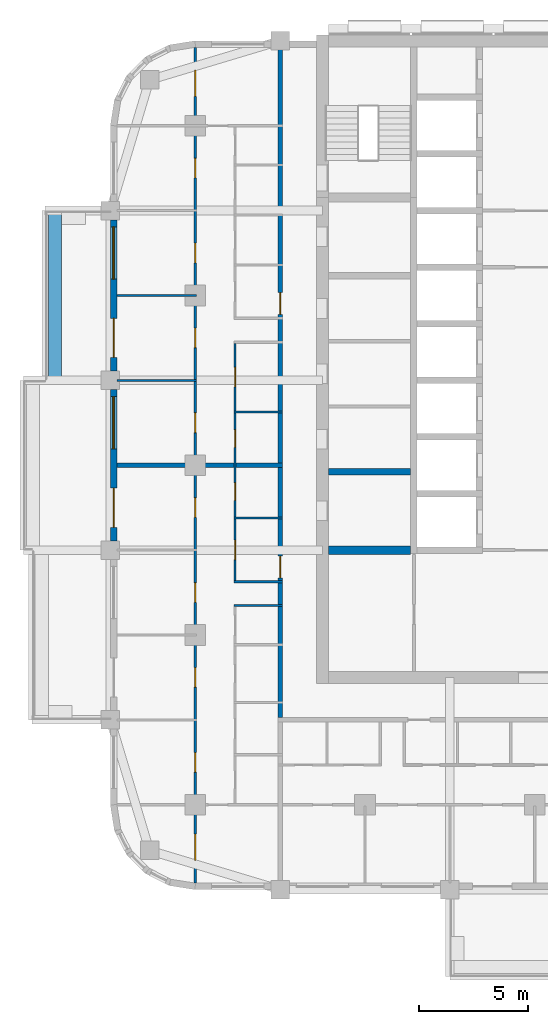
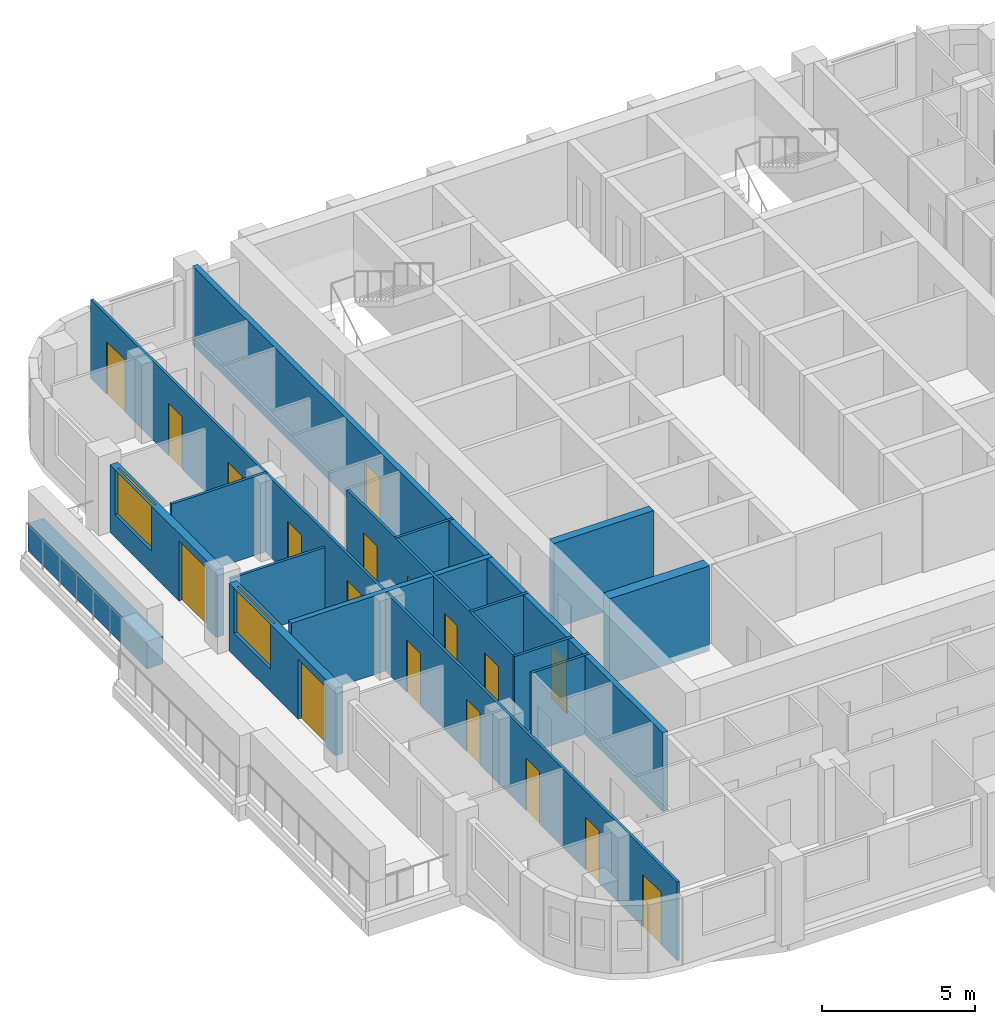
# One storey, part 4 of 14: 18 doors, 15 walls, 2 windows, 20 openings.
"""IFC4 building model written with IfcOpenShell, lengths in metres."""

from ifc_helpers import new_model, si_unit, direction, frame, frame_2d, origin, place, context, subcontext, project, spatial, rectangle, extrude, material, layer, layer_set, type_object, element, fill, save


model = new_model("IFC4")

# Units and contexts
model_context = context("Model", 3, precision=1e-05, world=origin(), true_north=direction((0.0, 1.0)))
body_context = subcontext(model_context, "Body", "Model", "MODEL_VIEW")
ifc_project = project(units=[si_unit("LENGTHUNIT", "METRE"), si_unit("AREAUNIT", "SQUARE_METRE"), si_unit("VOLUMEUNIT", "CUBIC_METRE"), si_unit("PLANEANGLEUNIT", "RADIAN"), si_unit("MASSUNIT", "GRAM", prefix="KILO")], contexts=[model_context])

# Site, building, storey
site_placement = place(None, origin())
site = spatial("IfcSite", under=ifc_project, at=site_placement, CompositionType="ELEMENT")
building_placement = place(site_placement, origin())
building = spatial("IfcBuilding", under=site, at=building_placement, Name="Ludao Terraces", CompositionType="ELEMENT")
storey_placement = place(building_placement, frame((0.0, 0.0, 103.300048828125)))
storey = spatial("IfcBuildingStorey", under=building, at=storey_placement, Name="L28", CompositionType="ELEMENT", Elevation=103.300048828125)

# Wall
ifc_material_1 = material(Name="Concrete C40", Category="concrete")
ifc_layer_1 = layer(ifc_material_1, 0.60009765625)
ifc_layer_set_1 = layer_set([ifc_layer_1], Name="ENV Planter trough 600")
wall_type_1 = type_object("IfcWallType", Name="ENV Planter trough 600", PredefinedType="USERDEFINED", material=ifc_layer_set_1)
wall_1_placement = place(storey_placement, frame((62.949951171875, 68.89990234375, 0.0), z_axis=(0.0, 0.0, 1.0), x_axis=(0.0, 1.0, 0.0)))
element("IfcWall", 1, at=wall_1_placement, inside=storey, type_object=wall_type_1, Name="PL-L28-W3", ObjectType="PLANTER", PredefinedType="USERDEFINED", context=body_context, shape_type="SweptSolid", body=[
    extrude(rectangle(XDim=7.800048828125, YDim=0.60009765625, at=frame_2d((3.89990234375, 0.0))), origin(), (0.0, 0.0, 1.0), 1.099853515625),
])

# Wall, openings, door, window
ifc_material_2 = material(Name="Granite cladding", Category="masonry")
ifc_layer_2 = layer(ifc_material_2, 0.0400390625, Category="stone")
ifc_material_3 = material(Name="Mineral wool")
ifc_layer_3 = layer(ifc_material_3, 0.06005859375)
ifc_layer_4 = layer(ifc_material_1, 0.199951171875, Category="concrete")
ifc_layer_set_2 = layer_set([ifc_layer_2, ifc_layer_3, ifc_layer_4], Name="ENV Stone-clad wall 300")
wall_type_2 = type_object("IfcWallType", Name="ENV Stone-clad wall 300", PredefinedType="SOLIDWALL", material=ifc_layer_set_2)
wall_2_placement = place(storey_placement, frame((65.64990234375, 61.52490234375, 0.0), z_axis=(0.0, 0.0, 1.0), x_axis=(0.0, 1.0, 0.0)))
wall_2 = element("IfcWall", 2, at=wall_2_placement, inside=storey, type_object=wall_type_2, Name="EW-L28-W3", PredefinedType="SOLIDWALL", context=body_context, shape_type="SweptSolid", body=[
    extrude(rectangle(XDim=6.9501953125, YDim=0.300048828125, at=frame_2d((3.47509765625, 0.0))), origin(), (0.0, 0.0, 1.0), 2.699951171875),
])
opening_1_placement = place(wall_2_placement, frame((0.625, 0.0, 0.0)))
opening_1 = element("IfcOpeningElement", 3, at=opening_1_placement, cuts=wall_2, Name="Opening BD", PredefinedType="OPENING", context=body_context, shape_type="SweptSolid", body=[
    extrude(rectangle(XDim=1.800048828125, YDim=2.39990234375, at=frame_2d((0.89990234375, 1.199951171875))), frame((0.0, 0.16015625, 0.0), z_axis=(0.0, -1.0, 0.0), x_axis=(1.0, 0.0, 0.0)), (0.0, 0.0, 1.0), 0.320068359375),
])
opening_2_placement = place(wall_2_placement, frame((4.22509765625, 0.0, 0.89990234375)))
opening_2 = element("IfcOpeningElement", 4, at=opening_2_placement, cuts=wall_2, Name="Opening W1", PredefinedType="OPENING", context=body_context, shape_type="SweptSolid", body=[
    extrude(rectangle(XDim=2.39990234375, YDim=1.800048828125, at=frame_2d((1.199951171875, 0.89990234375))), frame((0.0, 0.16015625, 0.0), z_axis=(0.0, -1.0, 0.0), x_axis=(1.0, 0.0, 0.0)), (0.0, 0.0, 1.0), 0.320068359375),
])
ifc_material_4 = material(Name="Aluminium glazed door", Category="aluminium")
ifc_layer_5 = layer(ifc_material_4, 0.06005859375)
ifc_layer_set_3 = layer_set([ifc_layer_5], Name="ENV Balcony door BD 1800x2400")
door_type_1 = type_object("IfcDoorType", Name="ENV Balcony door BD 1800x2400", OperationType="DOUBLE_DOOR_SINGLE_SWING", PredefinedType="DOOR", material=ifc_layer_set_3)
door_1_placement = place(opening_1_placement, origin())
door_1 = element("IfcDoor", 5, at=door_1_placement, inside=storey, type_object=door_type_1, Name="BD-L28-W3-1", OperationType="DOUBLE_DOOR_SINGLE_SWING", OverallHeight=2.39990234375, OverallWidth=1.800048828125, PredefinedType="DOOR", context=body_context, shape_type="SweptSolid", body=[
    extrude(rectangle(XDim=1.800048828125, YDim=2.39990234375, at=frame_2d((0.89990234375, 1.199951171875))), frame((0.0, 0.02490234375, 0.0), z_axis=(0.0, -1.0, 0.0), x_axis=(1.0, 0.0, 0.0)), (0.0, 0.0, 1.0), 0.050048828125),
])
fill(opening_1, door_1)
ifc_material_5 = material(Name="Clear glass in aluminium frame", Category="aluminium")
ifc_layer_6 = layer(ifc_material_5, 0.06005859375)
ifc_layer_set_4 = layer_set([ifc_layer_6], Name="ENV Window W1 2400x1800")
window_type = type_object("IfcWindowType", Name="ENV Window W1 2400x1800", PartitioningType="DOUBLE_PANEL_VERTICAL", PredefinedType="WINDOW", material=ifc_layer_set_4)
window_1_placement = place(opening_2_placement, origin())
window_1 = element("IfcWindow", 6, at=window_1_placement, inside=storey, type_object=window_type, Name="W-L28-W3-2", OverallHeight=1.800048828125, OverallWidth=2.39990234375, PartitioningType="DOUBLE_PANEL_VERTICAL", PredefinedType="WINDOW", context=body_context, shape_type="SweptSolid", body=[
    extrude(rectangle(XDim=2.39990234375, YDim=1.800048828125, at=frame_2d((1.199951171875, 0.89990234375))), frame((0.0, 0.030029296875, 0.0), z_axis=(0.0, -1.0, 0.0), x_axis=(1.0, 0.0, 0.0)), (0.0, 0.0, 1.0), 0.06005859375),
])
fill(opening_2, window_1)

wall_3_placement = place(storey_placement, frame((65.64990234375, 69.324951171875, 0.0), z_axis=(0.0, 0.0, 1.0), x_axis=(0.0, 1.0, 0.0)))
wall_3 = element("IfcWall", 7, at=wall_3_placement, inside=storey, type_object=wall_type_2, Name="EW-L28-W4", PredefinedType="SOLIDWALL", context=body_context, shape_type="SweptSolid", body=[
    extrude(rectangle(XDim=6.949951171875, YDim=0.300048828125, at=frame_2d((3.47509765625, 0.0))), origin(), (0.0, 0.0, 1.0), 2.699951171875),
])
opening_3_placement = place(wall_3_placement, frame((0.625, 0.0, 0.0)))
opening_3 = element("IfcOpeningElement", 8, at=opening_3_placement, cuts=wall_3, Name="Opening BD", PredefinedType="OPENING", context=body_context, shape_type="SweptSolid", body=[
    extrude(rectangle(XDim=1.800048828125, YDim=2.39990234375, at=frame_2d((0.89990234375, 1.199951171875))), frame((0.0, 0.16015625, 0.0), z_axis=(0.0, -1.0, 0.0), x_axis=(1.0, 0.0, 0.0)), (0.0, 0.0, 1.0), 0.320068359375),
])
opening_4_placement = place(wall_3_placement, frame((4.22509765625, 0.0, 0.89990234375)))
opening_4 = element("IfcOpeningElement", 9, at=opening_4_placement, cuts=wall_3, Name="Opening W1", PredefinedType="OPENING", context=body_context, shape_type="SweptSolid", body=[
    extrude(rectangle(XDim=2.39990234375, YDim=1.800048828125, at=frame_2d((1.199951171875, 0.89990234375))), frame((0.0, 0.16015625, 0.0), z_axis=(0.0, -1.0, 0.0), x_axis=(1.0, 0.0, 0.0)), (0.0, 0.0, 1.0), 0.320068359375),
])
door_2_placement = place(opening_3_placement, origin())
door_2 = element("IfcDoor", 10, at=door_2_placement, inside=storey, type_object=door_type_1, Name="BD-L28-W4-1", OperationType="DOUBLE_DOOR_SINGLE_SWING", OverallHeight=2.39990234375, OverallWidth=1.800048828125, PredefinedType="DOOR", context=body_context, shape_type="SweptSolid", body=[
    extrude(rectangle(XDim=1.800048828125, YDim=2.39990234375, at=frame_2d((0.89990234375, 1.199951171875))), frame((0.0, 0.02490234375, 0.0), z_axis=(0.0, -1.0, 0.0), x_axis=(1.0, 0.0, 0.0)), (0.0, 0.0, 1.0), 0.050048828125),
])
fill(opening_3, door_2)
window_2_placement = place(opening_4_placement, origin())
window_2 = element("IfcWindow", 11, at=window_2_placement, inside=storey, type_object=window_type, Name="W-L28-W4-2", OverallHeight=1.800048828125, OverallWidth=2.39990234375, PartitioningType="DOUBLE_PANEL_VERTICAL", PredefinedType="WINDOW", context=body_context, shape_type="SweptSolid", body=[
    extrude(rectangle(XDim=2.39990234375, YDim=1.800048828125, at=frame_2d((1.199951171875, 0.89990234375))), frame((0.0, 0.030029296875, 0.0), z_axis=(0.0, -1.0, 0.0), x_axis=(1.0, 0.0, 0.0)), (0.0, 0.0, 1.0), 0.06005859375),
])
fill(opening_4, window_2)

# Wall, openings, doors
ifc_material_6 = material(Name="Autoclaved aerated concrete block B06 A3.5", Category="concrete")
ifc_layer_7 = layer(ifc_material_6, 0.199951171875)
ifc_layer_set_5 = layer_set([ifc_layer_7], Name="INT Entrance wall 200")
wall_type_3 = type_object("IfcWallType", Name="INT Entrance wall 200", PredefinedType="PARTITIONING", material=ifc_layer_set_5)
wall_4_placement = place(storey_placement, frame((73.300048828125, 53.400146484375, 0.0), z_axis=(0.0, 0.0, 1.0), x_axis=(0.0, 1.0, 0.0)))
wall_4 = element("IfcWall", 12, at=wall_4_placement, inside=storey, type_object=wall_type_3, Name="PW-L28-PW055", PredefinedType="PARTITIONING", context=body_context, shape_type="SweptSolid", body=[
    extrude(rectangle(XDim=30.800048828125, YDim=0.199951171875, at=frame_2d((15.39990234375, 0.0))), origin(), (0.0, 0.0, 1.0), 3.14990234375),
])
opening_5_placement = place(wall_4_placement, frame((6.425048828125, 0.0, 0.0)))
opening_5 = element("IfcOpeningElement", 13, at=opening_5_placement, cuts=wall_4, Name="Opening R08-041", PredefinedType="OPENING", context=body_context, shape_type="SweptSolid", body=[
    extrude(rectangle(XDim=1.0, YDim=2.10009765625, at=frame_2d((0.5, 1.050048828125))), frame((0.0, 0.10986328125, 0.0), z_axis=(0.0, -1.0, 0.0), x_axis=(1.0, 0.0, 0.0)), (0.0, 0.0, 1.0), 0.219970703125),
])
opening_6_placement = place(wall_4_placement, frame((18.52490234375, 0.0, 0.0)))
opening_6 = element("IfcOpeningElement", 14, at=opening_6_placement, cuts=wall_4, Name="Opening R08-069", PredefinedType="OPENING", context=body_context, shape_type="SweptSolid", body=[
    extrude(rectangle(XDim=1.0, YDim=2.10009765625, at=frame_2d((0.5, 1.050048828125))), frame((0.0, 0.10986328125, 0.0), z_axis=(0.0, -1.0, 0.0), x_axis=(1.0, 0.0, 0.0)), (0.0, 0.0, 1.0), 0.219970703125),
])
ifc_material_7 = material(Name="Steel Q235", Category="steel")
door_type_2 = type_object("IfcDoorType", Name="INT Flat entrance door 1000", OperationType="SINGLE_SWING_LEFT", PredefinedType="DOOR", material=ifc_material_7)
door_3_placement = place(opening_5_placement, origin())
door_3 = element("IfcDoor", 15, at=door_3_placement, inside=storey, type_object=door_type_2, Name="DOOR 041", OperationType="SINGLE_SWING_RIGHT", OverallHeight=2.10009765625, OverallWidth=1.0, PredefinedType="DOOR", context=body_context, shape_type="SweptSolid", body=[
    extrude(rectangle(XDim=1.0, YDim=2.10009765625, at=frame_2d((0.5, 1.050048828125))), frame((0.0, 0.02490234375, 0.0), z_axis=(0.0, -1.0, 0.0), x_axis=(1.0, 0.0, 0.0)), (0.0, 0.0, 1.0), 0.050048828125),
])
fill(opening_5, door_3)
door_4_placement = place(opening_6_placement, origin())
door_4 = element("IfcDoor", 16, at=door_4_placement, inside=storey, type_object=door_type_2, Name="DOOR 069", OperationType="SINGLE_SWING_RIGHT", OverallHeight=2.10009765625, OverallWidth=1.0, PredefinedType="DOOR", context=body_context, shape_type="SweptSolid", body=[
    extrude(rectangle(XDim=1.0, YDim=2.10009765625, at=frame_2d((0.5, 1.050048828125))), frame((0.0, 0.02490234375, 0.0), z_axis=(0.0, -1.0, 0.0), x_axis=(1.0, 0.0, 0.0)), (0.0, 0.0, 1.0), 0.050048828125),
])
fill(opening_6, door_4)

# Walls
ifc_material_8 = material(Name="Gypsum plasterboard", Category="gypsum")
ifc_layer_8 = layer(ifc_material_8, 0.012451171875, Category="gypsum")
ifc_layer_9 = layer(ifc_material_3, 0.06005859375, Name="insulation")
ifc_layer_10 = layer(ifc_material_7, 0.014892578125, Name="stud")
ifc_layer_11 = layer(ifc_material_8, 0.012451171875, Category="gypsum")
ifc_layer_set_6 = layer_set([ifc_layer_8, ifc_layer_9, ifc_layer_10, ifc_layer_11], Name="INT Partition 100")
wall_type_4 = type_object("IfcWallType", Name="INT Partition 100", PredefinedType="PARTITIONING", material=ifc_layer_set_6)
for number, where, z_axis, x_axis, name in (
    (17, (71.18017578125, 58.550048828125, 0.0), (0.0, 0.0, 1.0), (1.0, 0.0, 0.0), "PW-L28-PW015"),
    (18, (71.18017578125, 59.64990234375, 0.0), (0.0, 0.0, 1.0), (1.0, 0.0, 0.0), "PW-L28-PW017"),
    (19, (71.18017578125, 62.570068359375, 0.0), (0.0, 0.0, 1.0), (1.0, 0.0, 0.0), "PW-L28-PW021"),
    (20, (71.18017578125, 67.449951171875, 0.0), (0.0, 0.0, 1.0), (1.0, 0.0, 0.0), "PW-L28-PW027"),
):
    element("IfcWall", number, at=place(storey_placement, frame(where, z_axis=z_axis, x_axis=x_axis)), inside=storey, type_object=wall_type_4, Name=name, PredefinedType="PARTITIONING", context=body_context, shape_type="SweptSolid", body=[
        extrude(rectangle(XDim=2.219970703125, YDim=0.10009765625, at=frame_2d((1.10986328125, 0.0))), origin(), (0.0, 0.0, 1.0), 3.14990234375),
    ])
wall_5_placement = place(storey_placement, frame((65.800048828125, 68.89990234375, 0.0), z_axis=(0.0, 0.0, 1.0), x_axis=(1.0, 0.0, 0.0)))
element("IfcWall", 21, at=wall_5_placement, inside=storey, type_object=wall_type_4, Name="PW-L28-PW029", PredefinedType="PARTITIONING", context=body_context, shape_type="SweptSolid", body=[
    extrude(rectangle(XDim=3.650146484375, YDim=0.10009765625, at=frame_2d((1.8251953125, 0.0))), origin(), (0.0, 0.0, 1.0), 2.5498046875),
])
wall_6_placement = place(storey_placement, frame((65.800048828125, 72.800048828125, 0.0), z_axis=(0.0, 0.0, 1.0), x_axis=(1.0, 0.0, 0.0)))
element("IfcWall", 22, at=wall_6_placement, inside=storey, type_object=wall_type_4, Name="PW-L28-PW036", PredefinedType="PARTITIONING", context=body_context, shape_type="SweptSolid", body=[
    extrude(rectangle(XDim=3.650146484375, YDim=0.10009765625, at=frame_2d((1.8251953125, 0.0))), origin(), (0.0, 0.0, 1.0), 3.14990234375),
])

# Wall, openings, doors
wall_7_placement = place(storey_placement, frame((69.39990234375, 45.800048828125, 0.0), z_axis=(0.0, 0.0, 1.0), x_axis=(0.0, 1.0, 0.0)))
wall_7 = element("IfcWall", 23, at=wall_7_placement, inside=storey, type_object=wall_type_4, Name="PW-L28-PW050", PredefinedType="PARTITIONING", context=body_context, shape_type="SweptSolid", body=[
    extrude(rectangle(XDim=38.400146484375, YDim=0.10009765625, at=frame_2d((19.2001953125, 0.0))), origin(), (0.0, 0.0, 1.0), 3.14990234375),
])
opening_7_placement = place(wall_7_placement, frame((1.050048828125, 0.0, 0.0)))
opening_7 = element("IfcOpeningElement", 24, at=opening_7_placement, cuts=wall_7, Name="Opening R08-001", PredefinedType="OPENING", context=body_context, shape_type="SweptSolid", body=[
    extrude(rectangle(XDim=1.199951171875, YDim=2.10009765625, at=frame_2d((0.60009765625, 1.050048828125))), frame((0.0, 0.06005859375, 0.0), z_axis=(0.0, -1.0, 0.0), x_axis=(1.0, 0.0, 0.0)), (0.0, 0.0, 1.0), 0.1201171875),
])
opening_8_placement = place(wall_7_placement, frame((5.10009765625, 0.0, 0.0)))
opening_8 = element("IfcOpeningElement", 25, at=opening_8_placement, cuts=wall_7, Name="Opening R08-022", PredefinedType="OPENING", context=body_context, shape_type="SweptSolid", body=[
    extrude(rectangle(XDim=0.89990234375, YDim=2.10009765625, at=frame_2d((0.449951171875, 1.050048828125))), frame((0.0, 0.06005859375, 0.0), z_axis=(0.0, -1.0, 0.0), x_axis=(1.0, 0.0, 0.0)), (0.0, 0.0, 1.0), 0.1201171875),
])
opening_9_placement = place(wall_7_placement, frame((9.0, 0.0, 0.0)))
opening_9 = element("IfcOpeningElement", 26, at=opening_9_placement, cuts=wall_7, Name="Opening R08-028", PredefinedType="OPENING", context=body_context, shape_type="SweptSolid", body=[
    extrude(rectangle(XDim=0.89990234375, YDim=2.10009765625, at=frame_2d((0.449951171875, 1.050048828125))), frame((0.0, 0.06005859375, 0.0), z_axis=(0.0, -1.0, 0.0), x_axis=(1.0, 0.0, 0.0)), (0.0, 0.0, 1.0), 0.1201171875),
])
opening_10_placement = place(wall_7_placement, frame((12.89990234375, 0.0, 0.0)))
opening_10 = element("IfcOpeningElement", 27, at=opening_10_placement, cuts=wall_7, Name="Opening R08-037", PredefinedType="OPENING", context=body_context, shape_type="SweptSolid", body=[
    extrude(rectangle(XDim=0.89990234375, YDim=2.10009765625, at=frame_2d((0.449951171875, 1.050048828125))), frame((0.0, 0.06005859375, 0.0), z_axis=(0.0, -1.0, 0.0), x_axis=(1.0, 0.0, 0.0)), (0.0, 0.0, 1.0), 0.1201171875),
])
opening_11_placement = place(wall_7_placement, frame((16.800048828125, 0.0, 0.0)))
opening_11 = element("IfcOpeningElement", 28, at=opening_11_placement, cuts=wall_7, Name="Opening R08-047", PredefinedType="OPENING", context=body_context, shape_type="SweptSolid", body=[
    extrude(rectangle(XDim=0.89990234375, YDim=2.10009765625, at=frame_2d((0.449951171875, 1.050048828125))), frame((0.0, 0.06005859375, 0.0), z_axis=(0.0, -1.0, 0.0), x_axis=(1.0, 0.0, 0.0)), (0.0, 0.0, 1.0), 0.1201171875),
])
opening_12_placement = place(wall_7_placement, frame((20.699951171875, 0.0, 0.0)))
opening_12 = element("IfcOpeningElement", 29, at=opening_12_placement, cuts=wall_7, Name="Opening R08-055", PredefinedType="OPENING", context=body_context, shape_type="SweptSolid", body=[
    extrude(rectangle(XDim=0.89990234375, YDim=2.10009765625, at=frame_2d((0.449951171875, 1.050048828125))), frame((0.0, 0.06005859375, 0.0), z_axis=(0.0, -1.0, 0.0), x_axis=(1.0, 0.0, 0.0)), (0.0, 0.0, 1.0), 0.1201171875),
])
opening_13_placement = place(wall_7_placement, frame((24.60009765625, 0.0, 0.0)))
opening_13 = element("IfcOpeningElement", 30, at=opening_13_placement, cuts=wall_7, Name="Opening R08-065", PredefinedType="OPENING", context=body_context, shape_type="SweptSolid", body=[
    extrude(rectangle(XDim=0.89990234375, YDim=2.10009765625, at=frame_2d((0.449951171875, 1.050048828125))), frame((0.0, 0.06005859375, 0.0), z_axis=(0.0, -1.0, 0.0), x_axis=(1.0, 0.0, 0.0)), (0.0, 0.0, 1.0), 0.1201171875),
])
opening_14_placement = place(wall_7_placement, frame((28.5, 0.0, 0.0)))
opening_14 = element("IfcOpeningElement", 31, at=opening_14_placement, cuts=wall_7, Name="Opening R08-075", PredefinedType="OPENING", context=body_context, shape_type="SweptSolid", body=[
    extrude(rectangle(XDim=0.89990234375, YDim=2.10009765625, at=frame_2d((0.449951171875, 1.050048828125))), frame((0.0, 0.06005859375, 0.0), z_axis=(0.0, -1.0, 0.0), x_axis=(1.0, 0.0, 0.0)), (0.0, 0.0, 1.0), 0.1201171875),
])
opening_15_placement = place(wall_7_placement, frame((32.39990234375, 0.0, 0.0)))
opening_15 = element("IfcOpeningElement", 32, at=opening_15_placement, cuts=wall_7, Name="Opening R08-090", PredefinedType="OPENING", context=body_context, shape_type="SweptSolid", body=[
    extrude(rectangle(XDim=0.89990234375, YDim=2.10009765625, at=frame_2d((0.449951171875, 1.050048828125))), frame((0.0, 0.06005859375, 0.0), z_axis=(0.0, -1.0, 0.0), x_axis=(1.0, 0.0, 0.0)), (0.0, 0.0, 1.0), 0.1201171875),
])
opening_16_placement = place(wall_7_placement, frame((36.14990234375, 0.0, 0.0)))
opening_16 = element("IfcOpeningElement", 33, at=opening_16_placement, cuts=wall_7, Name="Opening R08-098", PredefinedType="OPENING", context=body_context, shape_type="SweptSolid", body=[
    extrude(rectangle(XDim=1.199951171875, YDim=2.10009765625, at=frame_2d((0.60009765625, 1.050048828125))), frame((0.0, 0.06005859375, 0.0), z_axis=(0.0, -1.0, 0.0), x_axis=(1.0, 0.0, 0.0)), (0.0, 0.0, 1.0), 0.1201171875),
])
ifc_material_9 = material(Name="Timber door leaf", Category="wood")
door_type_3 = type_object("IfcDoorType", Name="INT Double door 1200", OperationType="DOUBLE_DOOR_SINGLE_SWING", PredefinedType="DOOR", material=ifc_material_9)
door_5_placement = place(opening_7_placement, origin())
door_5 = element("IfcDoor", 34, at=door_5_placement, inside=storey, type_object=door_type_3, Name="DOOR 001", OperationType="DOUBLE_DOOR_SINGLE_SWING", OverallHeight=2.10009765625, OverallWidth=1.199951171875, PredefinedType="DOOR", context=body_context, shape_type="SweptSolid", body=[
    extrude(rectangle(XDim=1.199951171875, YDim=2.10009765625, at=frame_2d((0.60009765625, 1.050048828125))), frame((0.0, 0.02490234375, 0.0), z_axis=(0.0, -1.0, 0.0), x_axis=(1.0, 0.0, 0.0)), (0.0, 0.0, 1.0), 0.050048828125),
])
fill(opening_7, door_5)
door_6_placement = place(opening_16_placement, origin())
door_6 = element("IfcDoor", 35, at=door_6_placement, inside=storey, type_object=door_type_3, Name="DOOR 098", OperationType="DOUBLE_DOOR_SINGLE_SWING", OverallHeight=2.10009765625, OverallWidth=1.199951171875, PredefinedType="DOOR", context=body_context, shape_type="SweptSolid", body=[
    extrude(rectangle(XDim=1.199951171875, YDim=2.10009765625, at=frame_2d((0.60009765625, 1.050048828125))), frame((0.0, 0.02490234375, 0.0), z_axis=(0.0, -1.0, 0.0), x_axis=(1.0, 0.0, 0.0)), (0.0, 0.0, 1.0), 0.050048828125),
])
fill(opening_16, door_6)
door_type_4 = type_object("IfcDoorType", Name="INT Room door 900", OperationType="SINGLE_SWING_LEFT", PredefinedType="DOOR", material=ifc_material_9)
door_7_placement = place(opening_8_placement, origin())
door_7 = element("IfcDoor", 36, at=door_7_placement, inside=storey, type_object=door_type_4, Name="DOOR 022", OperationType="SINGLE_SWING_RIGHT", OverallHeight=2.10009765625, OverallWidth=0.89990234375, PredefinedType="DOOR", context=body_context, shape_type="SweptSolid", body=[
    extrude(rectangle(XDim=0.89990234375, YDim=2.10009765625, at=frame_2d((0.449951171875, 1.050048828125))), frame((0.0, 0.02490234375, 0.0), z_axis=(0.0, -1.0, 0.0), x_axis=(1.0, 0.0, 0.0)), (0.0, 0.0, 1.0), 0.050048828125),
])
fill(opening_8, door_7)
door_8_placement = place(opening_9_placement, origin())
door_8 = element("IfcDoor", 37, at=door_8_placement, inside=storey, type_object=door_type_4, Name="DOOR 028", OperationType="SINGLE_SWING_LEFT", OverallHeight=2.10009765625, OverallWidth=0.89990234375, PredefinedType="DOOR", context=body_context, shape_type="SweptSolid", body=[
    extrude(rectangle(XDim=0.89990234375, YDim=2.10009765625, at=frame_2d((0.449951171875, 1.050048828125))), frame((0.0, 0.02490234375, 0.0), z_axis=(0.0, -1.0, 0.0), x_axis=(1.0, 0.0, 0.0)), (0.0, 0.0, 1.0), 0.050048828125),
])
fill(opening_9, door_8)
door_9_placement = place(opening_10_placement, origin())
door_9 = element("IfcDoor", 38, at=door_9_placement, inside=storey, type_object=door_type_4, Name="DOOR 037", OperationType="SINGLE_SWING_LEFT", OverallHeight=2.10009765625, OverallWidth=0.89990234375, PredefinedType="DOOR", context=body_context, shape_type="SweptSolid", body=[
    extrude(rectangle(XDim=0.89990234375, YDim=2.10009765625, at=frame_2d((0.449951171875, 1.050048828125))), frame((0.0, 0.02490234375, 0.0), z_axis=(0.0, -1.0, 0.0), x_axis=(1.0, 0.0, 0.0)), (0.0, 0.0, 1.0), 0.050048828125),
])
fill(opening_10, door_9)
door_10_placement = place(opening_11_placement, origin())
door_10 = element("IfcDoor", 39, at=door_10_placement, inside=storey, type_object=door_type_4, Name="DOOR 047", OperationType="SINGLE_SWING_LEFT", OverallHeight=2.10009765625, OverallWidth=0.89990234375, PredefinedType="DOOR", context=body_context, shape_type="SweptSolid", body=[
    extrude(rectangle(XDim=0.89990234375, YDim=2.10009765625, at=frame_2d((0.449951171875, 1.050048828125))), frame((0.0, 0.02490234375, 0.0), z_axis=(0.0, -1.0, 0.0), x_axis=(1.0, 0.0, 0.0)), (0.0, 0.0, 1.0), 0.050048828125),
])
fill(opening_11, door_10)
door_11_placement = place(opening_12_placement, origin())
door_11 = element("IfcDoor", 40, at=door_11_placement, inside=storey, type_object=door_type_4, Name="DOOR 055", OperationType="SINGLE_SWING_RIGHT", OverallHeight=2.10009765625, OverallWidth=0.89990234375, PredefinedType="DOOR", context=body_context, shape_type="SweptSolid", body=[
    extrude(rectangle(XDim=0.89990234375, YDim=2.10009765625, at=frame_2d((0.449951171875, 1.050048828125))), frame((0.0, 0.02490234375, 0.0), z_axis=(0.0, -1.0, 0.0), x_axis=(1.0, 0.0, 0.0)), (0.0, 0.0, 1.0), 0.050048828125),
])
fill(opening_12, door_11)
door_12_placement = place(opening_13_placement, origin())
door_12 = element("IfcDoor", 41, at=door_12_placement, inside=storey, type_object=door_type_4, Name="DOOR 065", OperationType="SINGLE_SWING_RIGHT", OverallHeight=2.10009765625, OverallWidth=0.89990234375, PredefinedType="DOOR", context=body_context, shape_type="SweptSolid", body=[
    extrude(rectangle(XDim=0.89990234375, YDim=2.10009765625, at=frame_2d((0.449951171875, 1.050048828125))), frame((0.0, 0.02490234375, 0.0), z_axis=(0.0, -1.0, 0.0), x_axis=(1.0, 0.0, 0.0)), (0.0, 0.0, 1.0), 0.050048828125),
])
fill(opening_13, door_12)
door_13_placement = place(opening_14_placement, origin())
door_13 = element("IfcDoor", 42, at=door_13_placement, inside=storey, type_object=door_type_4, Name="DOOR 075", OperationType="SINGLE_SWING_LEFT", OverallHeight=2.10009765625, OverallWidth=0.89990234375, PredefinedType="DOOR", context=body_context, shape_type="SweptSolid", body=[
    extrude(rectangle(XDim=0.89990234375, YDim=2.10009765625, at=frame_2d((0.449951171875, 1.050048828125))), frame((0.0, 0.02490234375, 0.0), z_axis=(0.0, -1.0, 0.0), x_axis=(1.0, 0.0, 0.0)), (0.0, 0.0, 1.0), 0.050048828125),
])
fill(opening_14, door_13)
door_14_placement = place(opening_15_placement, origin())
door_14 = element("IfcDoor", 43, at=door_14_placement, inside=storey, type_object=door_type_4, Name="DOOR 090", OperationType="SINGLE_SWING_LEFT", OverallHeight=2.10009765625, OverallWidth=0.89990234375, PredefinedType="DOOR", context=body_context, shape_type="SweptSolid", body=[
    extrude(rectangle(XDim=0.89990234375, YDim=2.10009765625, at=frame_2d((0.449951171875, 1.050048828125))), frame((0.0, 0.02490234375, 0.0), z_axis=(0.0, -1.0, 0.0), x_axis=(1.0, 0.0, 0.0)), (0.0, 0.0, 1.0), 0.050048828125),
])
fill(opening_15, door_14)

wall_8_placement = place(storey_placement, frame((71.22998046875, 59.7001953125, 0.0), z_axis=(0.0, 0.0, 1.0), x_axis=(0.0, 1.0, 0.0)))
wall_8 = element("IfcWall", 44, at=wall_8_placement, inside=storey, type_object=wall_type_4, Name="PW-L28-PW052", PredefinedType="PARTITIONING", context=body_context, shape_type="SweptSolid", body=[
    extrude(rectangle(XDim=10.89990234375, YDim=0.10009765625, at=frame_2d((5.449951171875, 0.0))), origin(), (0.0, 0.0, 1.0), 3.14990234375),
])
opening_17_placement = place(wall_8_placement, frame((0.9599609375, 0.0, 0.0)))
opening_17 = element("IfcOpeningElement", 45, at=opening_17_placement, cuts=wall_8, Name="Opening R08-043", PredefinedType="OPENING", context=body_context, shape_type="SweptSolid", body=[
    extrude(rectangle(XDim=0.89990234375, YDim=2.10009765625, at=frame_2d((0.449951171875, 1.050048828125))), frame((0.0, 0.06005859375, 0.0), z_axis=(0.0, -1.0, 0.0), x_axis=(1.0, 0.0, 0.0)), (0.0, 0.0, 1.0), 0.1201171875),
])
opening_18_placement = place(wall_8_placement, frame((3.684814453125, 0.0, 0.0)))
opening_18 = element("IfcOpeningElement", 46, at=opening_18_placement, cuts=wall_8, Name="Opening R08-050", PredefinedType="OPENING", context=body_context, shape_type="SweptSolid", body=[
    extrude(rectangle(XDim=0.800048828125, YDim=2.10009765625, at=frame_2d((0.39990234375, 1.050048828125))), frame((0.0, 0.06005859375, 0.0), z_axis=(0.0, -1.0, 0.0), x_axis=(1.0, 0.0, 0.0)), (0.0, 0.0, 1.0), 0.1201171875),
])
opening_19_placement = place(wall_8_placement, frame((6.125, 0.0, 0.0)))
opening_19 = element("IfcOpeningElement", 47, at=opening_19_placement, cuts=wall_8, Name="Opening R08-054", PredefinedType="OPENING", context=body_context, shape_type="SweptSolid", body=[
    extrude(rectangle(XDim=0.800048828125, YDim=2.10009765625, at=frame_2d((0.39990234375, 1.050048828125))), frame((0.0, 0.06005859375, 0.0), z_axis=(0.0, -1.0, 0.0), x_axis=(1.0, 0.0, 0.0)), (0.0, 0.0, 1.0), 0.1201171875),
])
opening_20_placement = place(wall_8_placement, frame((8.89990234375, 0.0, 0.0)))
opening_20 = element("IfcOpeningElement", 48, at=opening_20_placement, cuts=wall_8, Name="Opening R08-061", PredefinedType="OPENING", context=body_context, shape_type="SweptSolid", body=[
    extrude(rectangle(XDim=0.89990234375, YDim=2.10009765625, at=frame_2d((0.449951171875, 1.050048828125))), frame((0.0, 0.06005859375, 0.0), z_axis=(0.0, -1.0, 0.0), x_axis=(1.0, 0.0, 0.0)), (0.0, 0.0, 1.0), 0.1201171875),
])
door_15_placement = place(opening_17_placement, origin())
door_15 = element("IfcDoor", 49, at=door_15_placement, inside=storey, type_object=door_type_4, Name="DOOR 043", OperationType="SINGLE_SWING_RIGHT", OverallHeight=2.10009765625, OverallWidth=0.89990234375, PredefinedType="DOOR", context=body_context, shape_type="SweptSolid", body=[
    extrude(rectangle(XDim=0.89990234375, YDim=2.10009765625, at=frame_2d((0.449951171875, 1.050048828125))), frame((0.0, 0.02490234375, 0.0), z_axis=(0.0, -1.0, 0.0), x_axis=(1.0, 0.0, 0.0)), (0.0, 0.0, 1.0), 0.050048828125),
])
fill(opening_17, door_15)
door_16_placement = place(opening_20_placement, origin())
door_16 = element("IfcDoor", 50, at=door_16_placement, inside=storey, type_object=door_type_4, Name="DOOR 061", OperationType="SINGLE_SWING_LEFT", OverallHeight=2.10009765625, OverallWidth=0.89990234375, PredefinedType="DOOR", context=body_context, shape_type="SweptSolid", body=[
    extrude(rectangle(XDim=0.89990234375, YDim=2.10009765625, at=frame_2d((0.449951171875, 1.050048828125))), frame((0.0, 0.02490234375, 0.0), z_axis=(0.0, -1.0, 0.0), x_axis=(1.0, 0.0, 0.0)), (0.0, 0.0, 1.0), 0.050048828125),
])
fill(opening_20, door_16)
door_type_5 = type_object("IfcDoorType", Name="INT Store door 800", OperationType="SINGLE_SWING_LEFT", PredefinedType="DOOR", material=ifc_material_9)
door_17_placement = place(opening_18_placement, origin())
door_17 = element("IfcDoor", 51, at=door_17_placement, inside=storey, type_object=door_type_5, Name="DOOR 050", OperationType="SINGLE_SWING_LEFT", OverallHeight=2.10009765625, OverallWidth=0.800048828125, PredefinedType="DOOR", context=body_context, shape_type="SweptSolid", body=[
    extrude(rectangle(XDim=0.800048828125, YDim=2.10009765625, at=frame_2d((0.39990234375, 1.050048828125))), frame((0.0, 0.02490234375, 0.0), z_axis=(0.0, -1.0, 0.0), x_axis=(1.0, 0.0, 0.0)), (0.0, 0.0, 1.0), 0.050048828125),
])
fill(opening_18, door_17)
door_18_placement = place(opening_19_placement, origin())
door_18 = element("IfcDoor", 52, at=door_18_placement, inside=storey, type_object=door_type_5, Name="DOOR 054", OperationType="SINGLE_SWING_RIGHT", OverallHeight=2.10009765625, OverallWidth=0.800048828125, PredefinedType="DOOR", context=body_context, shape_type="SweptSolid", body=[
    extrude(rectangle(XDim=0.800048828125, YDim=2.10009765625, at=frame_2d((0.39990234375, 1.050048828125))), frame((0.0, 0.02490234375, 0.0), z_axis=(0.0, -1.0, 0.0), x_axis=(1.0, 0.0, 0.0)), (0.0, 0.0, 1.0), 0.050048828125),
])
fill(opening_19, door_18)

# Walls
ifc_layer_12 = layer(ifc_material_6, 0.199951171875)
ifc_layer_set_7 = layer_set([ifc_layer_12], Name="INT Party wall 200")
wall_type_5 = type_object("IfcWallType", Name="INT Party wall 200", PredefinedType="PARTITIONING", material=ifc_layer_set_7)
wall_9_placement = place(storey_placement, frame((65.800048828125, 65.0, 0.0), z_axis=(0.0, 0.0, 1.0), x_axis=(1.0, 0.0, 0.0)))
element("IfcWall", 53, at=wall_9_placement, inside=storey, type_object=wall_type_5, Name="PW-L28-PW023", PredefinedType="PARTITIONING", context=body_context, shape_type="SweptSolid", body=[
    extrude(rectangle(XDim=7.60009765625, YDim=0.199951171875, at=frame_2d((3.800048828125, 0.0))), origin(), (0.0, 0.0, 1.0), 3.14990234375),
])
ifc_material_10 = material(Name="Concrete C55", Category="concrete")
ifc_layer_13 = layer(ifc_material_10, 0.300048828125)
ifc_layer_set_8 = layer_set([ifc_layer_13], Name="Shaft wall 300 C55")
wall_type_6 = type_object("IfcWallType", Name="Shaft wall 300 C55", PredefinedType="SOLIDWALL", material=ifc_layer_set_8)
wall_10_placement = place(storey_placement, frame((75.52490234375, 64.699951171875, -0.25), z_axis=(0.0, 0.0, 1.0), x_axis=(1.0, 0.0, 0.0)))
element("IfcWall", 54, at=wall_10_placement, inside=storey, type_object=wall_type_6, Name="Core wall L28 riser-a-W", PredefinedType="SOLIDWALL", context=body_context, shape_type="SweptSolid", body=[
    extrude(rectangle(XDim=3.775146484375, YDim=0.300048828125, at=frame_2d((1.8876953125, 0.0))), origin(), (0.0, 0.0, 1.0), 3.39990234375),
])
ifc_layer_14 = layer(ifc_material_10, 0.39990234375)
ifc_layer_set_9 = layer_set([ifc_layer_14], Name="Shaft wall 400 C55")
wall_type_7 = type_object("IfcWallType", Name="Shaft wall 400 C55", PredefinedType="SOLIDWALL", material=ifc_layer_set_9)
wall_11_placement = place(storey_placement, frame((75.52490234375, 61.10009765625, -0.25), z_axis=(0.0, 0.0, 1.0), x_axis=(1.0, 0.0, 0.0)))
element("IfcWall", 55, at=wall_11_placement, inside=storey, type_object=wall_type_7, Name="Core wall L28 hall-W", PredefinedType="SOLIDWALL", context=body_context, shape_type="SweptSolid", body=[
    extrude(rectangle(XDim=3.775146484375, YDim=0.39990234375, at=frame_2d((1.8876953125, 0.0))), origin(), (0.0, 0.0, 1.0), 3.39990234375),
])

save(model, "model.ifc")
